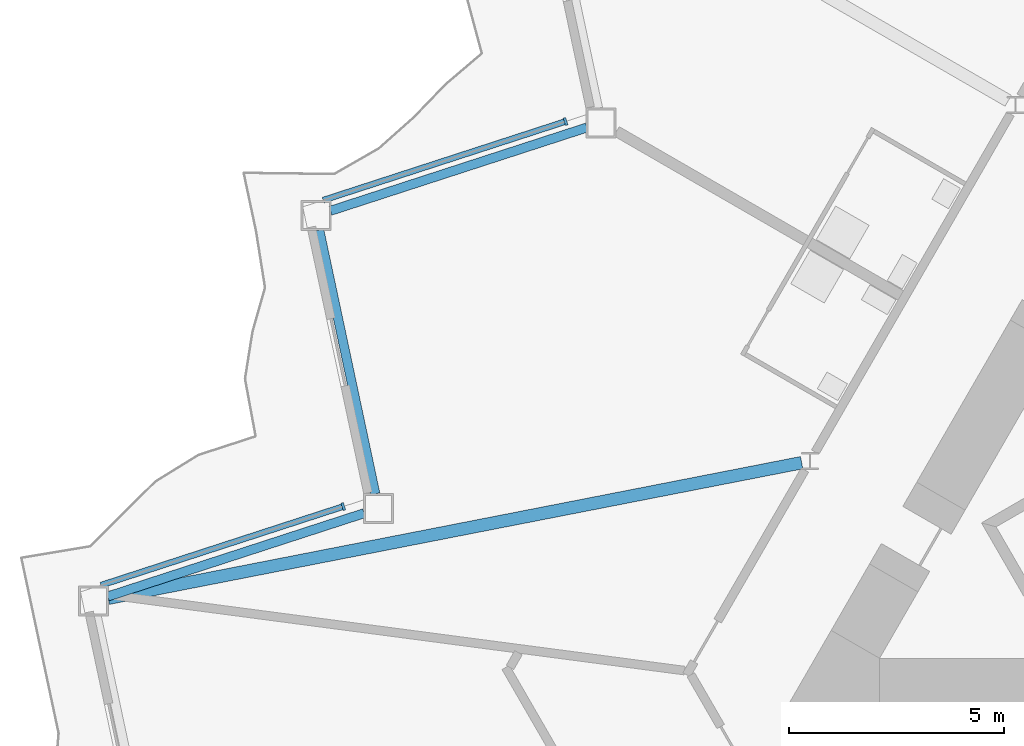
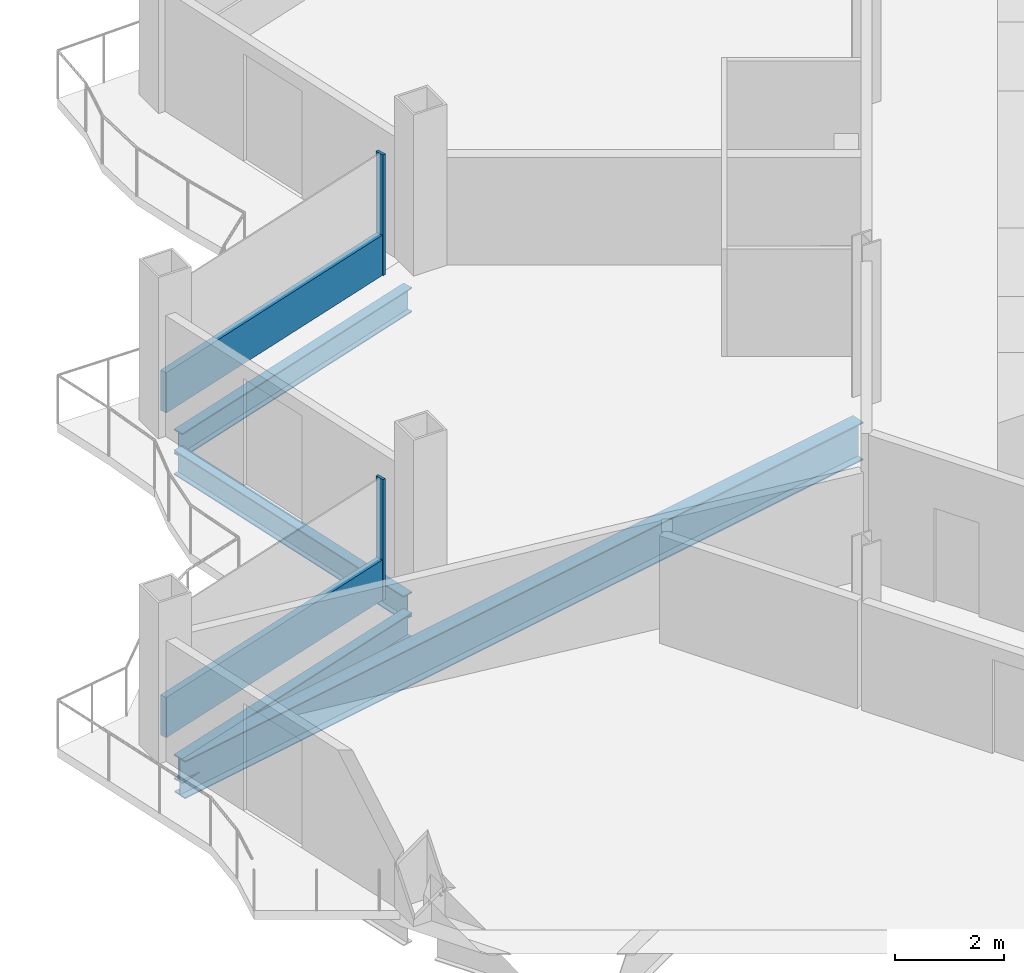
# One storey, part 5 of 23: 4 beams, 4 members, 2 elements without a shape of their own.
"""IFC4 building model written with IfcOpenShell, lengths in metres."""

from ifc_helpers import new_model, si_unit, direction, frame, origin, origin_2d, place, context, subcontext, project, spatial, rectangle, i_section, extrude, material, layer, layer_set, material_profile, profile_set, type_object, element, aggregate, save


model = new_model("IFC4")

# Units and contexts
model_context = context("Model", 3, precision=1e-05, world=origin(), true_north=direction((0.0, 1.0)))
body_context = subcontext(model_context, "Body", "Model", "MODEL_VIEW")
ifc_project = project(units=[si_unit("LENGTHUNIT", "METRE"), si_unit("AREAUNIT", "SQUARE_METRE"), si_unit("VOLUMEUNIT", "CUBIC_METRE"), si_unit("PLANEANGLEUNIT", "RADIAN"), si_unit("MASSUNIT", "GRAM", prefix="KILO")], contexts=[model_context])

# Site, building, storey
site_placement = place(None, origin())
site = spatial("IfcSite", under=ifc_project, at=site_placement, CompositionType="ELEMENT")
building_placement = place(site_placement, origin())
building = spatial("IfcBuilding", under=site, at=building_placement, Name="Cormorant Prow Tower", CompositionType="ELEMENT")
storey_placement = place(building_placement, frame((0.0, 0.0, 259.800048828125)))
storey = spatial("IfcBuildingStorey", under=building, at=storey_placement, Name="L58", CompositionType="ELEMENT", Elevation=259.800048828125)

# Curtain wall, member
ifc_material_1 = material(Name="Aluminium 6063-T6", Category="aluminium")
ifc_layer = layer(ifc_material_1, 0.179931640625)
ifc_layer_set = layer_set([ifc_layer], Name="Aluminium 6063-T6")
curtain_wall_type = type_object("IfcCurtainWallType", Name="Hotel unitised curtain wall 180", PredefinedType="NOTDEFINED", material=ifc_layer_set)
curtain_wall_1_placement = place(storey_placement, origin())
curtain_wall_1 = element("IfcCurtainWall", 1, at=curtain_wall_1_placement, inside=storey, type_object=curtain_wall_type, Name="Hotel curtain wall WNW06", PredefinedType="NOTDEFINED")
ifc_material_2 = material(Name="Aluminium 6063-T6", Category="aluminium")
ifc_material_profile_1 = material_profile(ifc_material_2, rectangle(XDim=0.179931640625, YDim=0.06005859375, at=origin_2d()), Name="Hotel mullion 60x180")
ifc_profile_set_1 = profile_set([ifc_material_profile_1], Name="Aluminium 6063-T6")
member_type_1 = type_object("IfcMemberType", Name="Hotel mullion 60x180", PredefinedType="MULLION", material=ifc_profile_set_1)
member_1_placement = place(storey_placement, frame((-20.063232421875, 5.14697265625, 0.0), z_axis=(0.0, 0.0, 1.0), x_axis=(0.309016939349, -0.951056534174, 0.0)))
member_1 = element("IfcMember", 2, at=member_1_placement, type_object=member_type_1, Name="Hotel mullion WNW06", PredefinedType="MULLION", context=body_context, shape_type="SweptSolid", body=[
    extrude(rectangle(XDim=0.179931640625, YDim=0.06005859375, at=origin_2d()), origin(), (0.0, 0.0, 1.0), 2.700927734375),
])

curtain_wall_2_placement = place(storey_placement, origin())
curtain_wall_2 = element("IfcCurtainWall", 3, at=curtain_wall_2_placement, inside=storey, type_object=curtain_wall_type, Name="Hotel curtain wall WNW08", PredefinedType="NOTDEFINED")
member_2_placement = place(storey_placement, frame((-25.24267578125, -3.823974609375, 0.0), z_axis=(0.0, 0.0, 1.0), x_axis=(0.309016939349, -0.951056534174, 0.0)))
member_2 = element("IfcMember", 4, at=member_2_placement, type_object=member_type_1, Name="Hotel mullion WNW08", PredefinedType="MULLION", context=body_context, shape_type="SweptSolid", body=[
    extrude(rectangle(XDim=0.179931640625, YDim=0.06005859375, at=origin_2d()), origin(), (0.0, 0.0, 1.0), 2.700927734375),
])

# Member
ifc_material_3 = material(Name="Terracotta", Category="masonry")
ifc_material_profile_2 = material_profile(ifc_material_3, rectangle(XDim=0.139892578125, YDim=0.89990234375, at=origin_2d()), Name="Hotel terracotta spandrel rail 140x900")
ifc_profile_set_2 = profile_set([ifc_material_profile_2], Name="Terracotta")
member_type_2 = type_object("IfcMemberType", Name="Hotel terracotta spandrel rail 140x900", PredefinedType="USERDEFINED", material=ifc_profile_set_2)
member_3_placement = place(storey_placement, frame((-20.091796875, 5.1376953125, 0.449951171875), z_axis=(-0.951065040559, -0.308990758158, 0.0), x_axis=(0.308990758158, -0.951065040559, 0.0)))
member_3 = element("IfcMember", 5, at=member_3_placement, type_object=member_type_2, Name="Hotel spandrel rail WNW06", ObjectType="TRANSOM", PredefinedType="USERDEFINED", context=body_context, shape_type="SweptSolid", body=[
    extrude(rectangle(XDim=0.139892578125, YDim=0.89990234375, at=origin_2d()), origin(), (0.0, 0.0, 1.0), 5.90771484375),
])

aggregate(curtain_wall_1, [member_1, member_3])

member_4_placement = place(storey_placement, frame((-25.271240234375, -3.833251953125, 0.449951171875), z_axis=(-0.951052895642, -0.309028137378, 0.0), x_axis=(0.309028137378, -0.951052895642, 0.0)))
member_4 = element("IfcMember", 6, at=member_4_placement, type_object=member_type_2, Name="Hotel spandrel rail WNW08", ObjectType="TRANSOM", PredefinedType="USERDEFINED", context=body_context, shape_type="SweptSolid", body=[
    extrude(rectangle(XDim=0.139892578125, YDim=0.89990234375, at=origin_2d()), origin(), (0.0, 0.0, 1.0), 5.90771484375),
])

aggregate(curtain_wall_2, [member_2, member_4])

# Beams
ifc_material_4 = material(Name="Structural steel ASTM A992 Gr 50", Category="steel")
ifc_material_profile_3 = material_profile(ifc_material_4, i_section(OverallWidth=0.29296875, OverallDepth=0.845703125, WebThickness=0.015380859375, FlangeThickness=0.0244140625, at=origin_2d()), Name="W33x141")
ifc_profile_set_3 = profile_set([ifc_material_profile_3], Name="Structural steel ASTM A992 Gr 50")
beam_type_1 = type_object("IfcBeamType", Name="Radial floor beam W33x141", PredefinedType="BEAM", material=ifc_profile_set_3)
beam_placement = place(storey_placement, frame((-14.5634765625, -2.80322265625, -0.77294921875), z_axis=(-0.981419133752, -0.191876220269, 0.0), x_axis=(0.191876220269, -0.981419133752, 0.0)))
element("IfcBeam", 7, at=beam_placement, inside=storey, type_object=beam_type_1, Name="Radial floor beam FB2 4 L58", PredefinedType="BEAM", context=body_context, shape_type="SweptSolid", body=[
    extrude(i_section(OverallWidth=0.29296875, OverallDepth=0.845703125, WebThickness=0.015380859375, FlangeThickness=0.0244140625, at=origin_2d()), origin(), (0.0, 0.0, 1.0), 16.462158203125),
])
ifc_material_5 = material(Name="Structural steel ASTM A992 Gr 50", Category="steel")
ifc_material_profile_4 = material_profile(ifc_material_5, i_section(OverallWidth=0.2138671875, OverallDepth=0.549072265625, WebThickness=0.0146484375, FlangeThickness=0.023681640625, at=origin_2d()), Name="W21x93")
ifc_profile_set_4 = profile_set([ifc_material_profile_4], Name="Structural steel ASTM A992 Gr 50")
beam_type_2 = type_object("IfcBeamType", Name="Spandrel beam W21x93", PredefinedType="SPANDREL", material=ifc_profile_set_4)
for number, where, z_axis, x_axis, name in (
    (8, (-19.568115234375, 5.00634765625, -0.62451171875), (-0.951061771288, -0.309000820701, 0.0), (0.309000820701, -0.951061771288, 0.0), "Spandrel beam SB2 WNW06-WNW07 L58"),
    (9, (-25.80224609375, 2.61474609375, -0.62451171875), (0.207941499013, -0.978141264331, 0.0), (0.978141264331, 0.207941499013, 0.0), "Spandrel beam SB2 WNW07-WNW08 L58"),
    (10, (-24.75634765625, -3.97998046875, -0.62451171875), (-0.951061771288, -0.309000820701, 0.0), (0.309000820701, -0.951061771288, 0.0), "Spandrel beam SB2 WNW08-WNW09 L58"),
):
    element("IfcBeam", number, at=place(storey_placement, frame(where, z_axis=z_axis, x_axis=x_axis)), inside=storey, type_object=beam_type_2, Name=name, PredefinedType="SPANDREL", context=body_context, shape_type="SweptSolid", body=[
        extrude(i_section(OverallWidth=0.2138671875, OverallDepth=0.549072265625, WebThickness=0.0146484375, FlangeThickness=0.023681640625, at=origin_2d()), origin(), (0.0, 0.0, 1.0), 6.28125),
    ])

save(model, "model.ifc")
